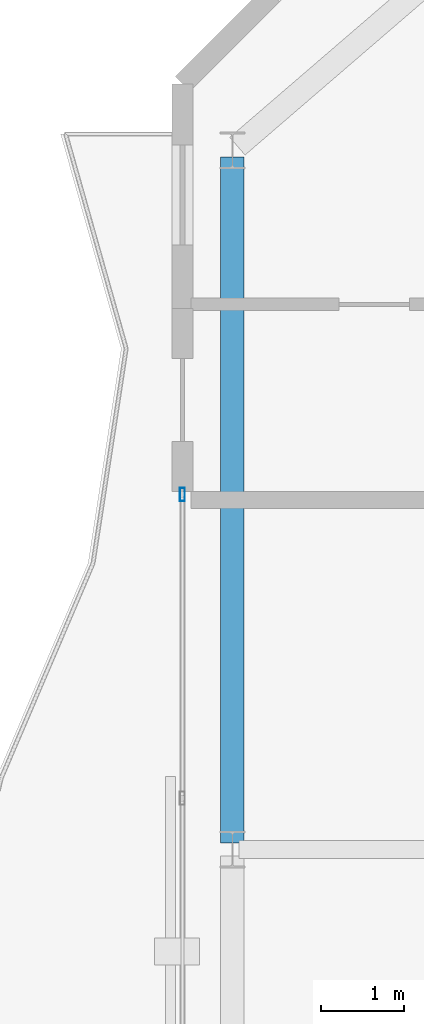
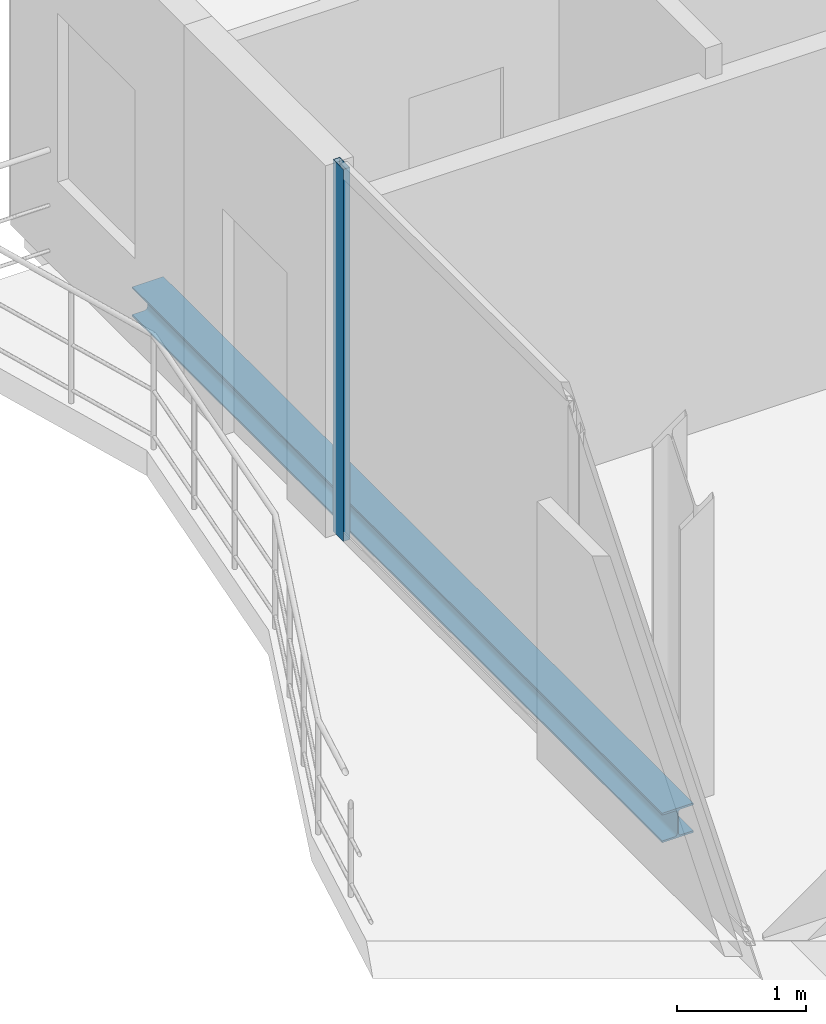
# One storey, part 12 of 22: 1 beam, 1 member, 1 element without a shape of its own.
"""IFC4 building model written with IfcOpenShell, lengths in metres."""

from ifc_helpers import new_model, si_unit, direction, frame, origin, origin_2d, place, context, subcontext, project, spatial, hollow_rectangle, i_section, extrude, material, layer, layer_set, material_profile, profile_set, type_object, element, aggregate, save


model = new_model("IFC4")

# Units and contexts
model_context = context("Model", 3, precision=1e-05, world=origin(), true_north=direction((0.0, 1.0)))
body_context = subcontext(model_context, "Body", "Model", "MODEL_VIEW")
ifc_project = project(units=[si_unit("LENGTHUNIT", "METRE"), si_unit("AREAUNIT", "SQUARE_METRE"), si_unit("VOLUMEUNIT", "CUBIC_METRE"), si_unit("PLANEANGLEUNIT", "RADIAN"), si_unit("MASSUNIT", "GRAM", prefix="KILO")], contexts=[model_context])

# Site, building, storey
site_placement = place(None, origin())
site = spatial("IfcSite", under=ifc_project, at=site_placement, CompositionType="ELEMENT")
building_placement = place(site_placement, origin())
building = spatial("IfcBuilding", under=site, at=building_placement, Name="Catumbela Crestline Tower", CompositionType="ELEMENT")
storey_placement = place(building_placement, frame((0.0, 0.0, 229.8)))
storey = spatial("IfcBuildingStorey", under=building, at=storey_placement, Name="L59", CompositionType="ELEMENT", Elevation=229.8)

# Curtain wall, member
ifc_material_1 = material(Name="Aluminium alloy AW-6060-T66", Category="aluminium")
ifc_layer = layer(ifc_material_1, 0.18, Name="Aluminium alloy AW-6060-T66")
ifc_layer_set = layer_set([ifc_layer], Name="Aluminium alloy AW-6060-T66")
curtain_wall_type = type_object("IfcCurtainWallType", Name="CWU-Z4", PredefinedType="USERDEFINED", material=ifc_layer_set)
curtain_wall_placement = place(storey_placement, origin())
curtain_wall = element("IfcCurtainWall", 1, at=curtain_wall_placement, inside=storey, type_object=curtain_wall_type, Name="L59 Unitised Curtain Wall CW-L59-E9S2", ObjectType="UNITISED", PredefinedType="USERDEFINED")
ifc_material_profile_1 = material_profile(ifc_material_1, hollow_rectangle(XDim=0.06, YDim=0.16, WallThickness=0.004, at=origin_2d()), Name="ALU 160x60x4")
ifc_profile_set_1 = profile_set([ifc_material_profile_1], Name="Aluminium alloy AW-6060-T66")
member_type = type_object("IfcMemberType", Name="MUL-160X60", PredefinedType="MULLION", material=ifc_profile_set_1)
member_placement = place(storey_placement, frame((5.0, 35.0675, 0.0), z_axis=(0.0, 0.0, 1.0), x_axis=(1.0, 0.0, 0.0)))
member = element("IfcMember", 2, at=member_placement, type_object=member_type, Name="CWU-Z4 mullion 1", PredefinedType="MULLION", context=body_context, shape_type="SweptSolid", body=[
    extrude(hollow_rectangle(XDim=0.06, YDim=0.16, WallThickness=0.004, at=origin_2d()), origin(), (0.0, 0.0, 1.0), 3.53),
])
aggregate(curtain_wall, [member])

# Beam
ifc_material_2 = material(Name="Structural steel S355J2", Category="steel")
ifc_material_profile_2 = material_profile(ifc_material_2, i_section(OverallWidth=0.28, OverallDepth=0.28, WebThickness=0.0105, FlangeThickness=0.018, FilletRadius=0.024, at=origin_2d()), Name="HEB 280")
ifc_profile_set_2 = profile_set([ifc_material_profile_2], Name="Structural steel S355J2")
beam_type = type_object("IfcBeamType", Name="BS-HEB280", PredefinedType="SPANDREL", material=ifc_profile_set_2)
beam_placement = place(storey_placement, frame((5.6, 30.88, -0.4), z_axis=(0.0, 1.0, 0.0), x_axis=(-1.0, 0.0, 0.0)))
element("IfcBeam", 3, at=beam_placement, inside=storey, type_object=beam_type, Name="L59 Spandrel SP-L59-SN13", PredefinedType="SPANDREL", context=body_context, shape_type="SweptSolid", body=[
    extrude(i_section(OverallWidth=0.28, OverallDepth=0.28, WebThickness=0.0105, FlangeThickness=0.018, FilletRadius=0.024, at=origin_2d()), origin(), (0.0, 0.0, 1.0), 8.24),
])

save(model, "model.ifc")
